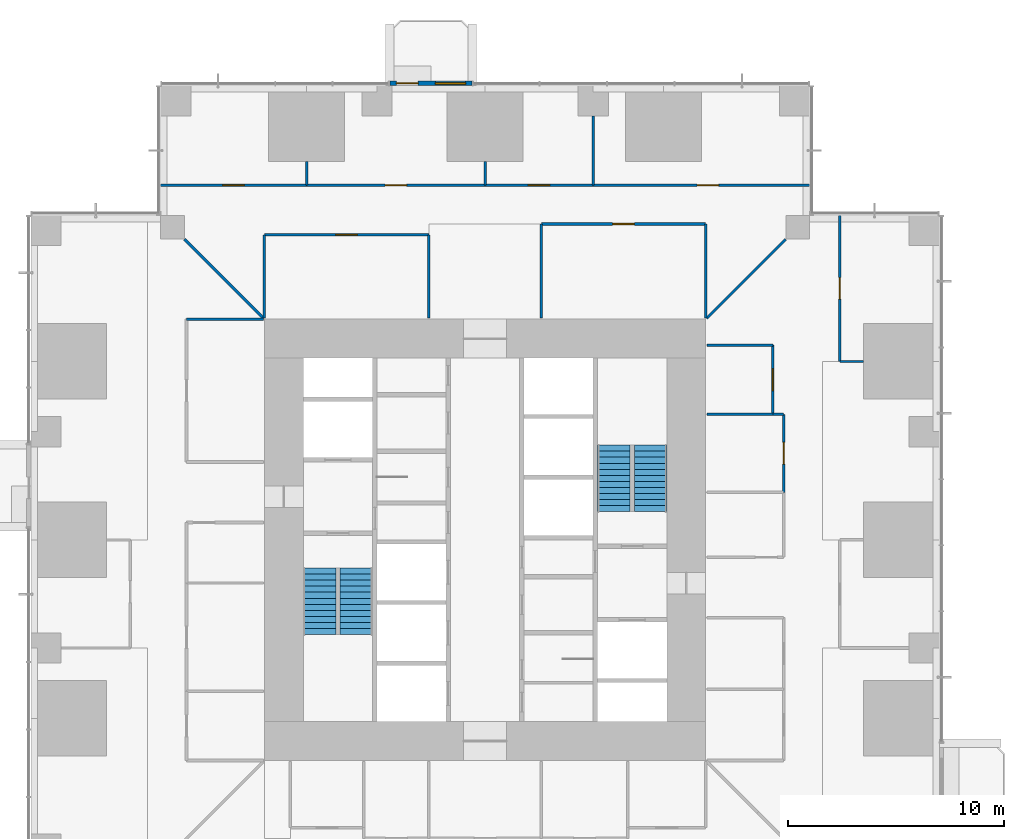
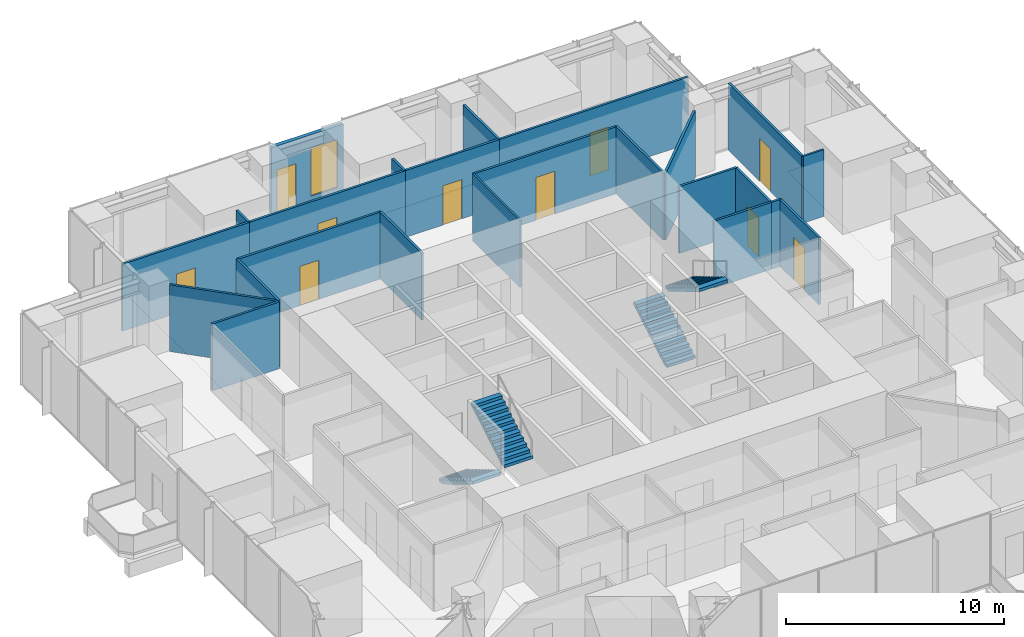
# One storey, part 12 of 16: 24 walls, 10 doors, 4 stair flights, 1 window, 11 openings, 2 elements without a shape of their own.
"""IFC4 building model written with IfcOpenShell, lengths in metres."""

from ifc_helpers import new_model, si_unit, direction, frame, frame_2d, origin, place, context, subcontext, project, spatial, polyline, rectangle, outline, extrude, material, layer, layer_set, type_object, element, fill, aggregate, save


model = new_model("IFC4")

# Units and contexts
model_context = context("Model", 3, precision=1e-05, world=origin(), true_north=direction((0.0, 1.0)))
body_context = subcontext(model_context, "Body", "Model", "MODEL_VIEW")
ifc_project = project(units=[si_unit("LENGTHUNIT", "METRE"), si_unit("AREAUNIT", "SQUARE_METRE"), si_unit("VOLUMEUNIT", "CUBIC_METRE"), si_unit("PLANEANGLEUNIT", "RADIAN"), si_unit("MASSUNIT", "GRAM", prefix="KILO")], contexts=[model_context])

# Site, building, storey
site_placement = place(None, origin())
site = spatial("IfcSite", under=ifc_project, at=site_placement, CompositionType="ELEMENT")
building_placement = place(site_placement, origin())
building = spatial("IfcBuilding", under=site, at=building_placement, Name="Svetlomir Tower", CompositionType="ELEMENT")
storey_placement = place(building_placement, frame((0.0, 0.0, 50.5)))
storey = spatial("IfcBuildingStorey", under=building, at=storey_placement, Name="L11", CompositionType="ELEMENT", Elevation=50.5)

# Wall, openings, door, window
ifc_material_1 = material(Name="Bronze anodised aluminium glazed screen", Category="aluminium")
ifc_layer_1 = layer(ifc_material_1, 0.199951171875)
ifc_layer_set_1 = layer_set([ifc_layer_1], Name="Bronze anodised aluminium glazed screen")
wall_type_1 = type_object("IfcWallType", Name="BALCONY SCREEN WALL 200", PredefinedType="USERDEFINED", material=ifc_layer_set_1)
wall_1_placement = place(storey_placement, frame((20.39990234375, 42.10009765625, 0.0), z_axis=(0.0, 0.0, 1.0), x_axis=(-1.0, 0.0, 0.0)))
wall_1 = element("IfcWall", 1, at=wall_1_placement, inside=storey, type_object=wall_type_1, Name="Balcony screen N", ObjectType="GLAZED SCREEN", PredefinedType="USERDEFINED", context=body_context, shape_type="SweptSolid", body=[
    extrude(rectangle(XDim=3.7998046875, YDim=0.199951171875, at=frame_2d((1.89990234375, 0.0))), origin(), (0.0, 0.0, 1.0), 3.75),
])
opening_1_placement = place(wall_1_placement, frame((2.5, 0.0, 0.0)))
opening_1 = element("IfcOpeningElement", 2, at=opening_1_placement, cuts=wall_1, Name="Opening BD", PredefinedType="OPENING", context=body_context, shape_type="SweptSolid", body=[
    extrude(rectangle(XDim=1.0, YDim=2.39990234375, at=frame_2d((0.5, 1.199951171875))), frame((0.0, 0.10986328125, 0.0), z_axis=(0.0, -1.0, 0.0), x_axis=(1.0, 0.0, 0.0)), (0.0, 0.0, 1.0), 0.219970703125),
])
opening_2_placement = place(wall_1_placement, frame((0.300048828125, 0.0, 0.300048828125)))
opening_2 = element("IfcOpeningElement", 3, at=opening_2_placement, cuts=wall_1, Name="Opening WS2", PredefinedType="OPENING", context=body_context, shape_type="SweptSolid", body=[
    extrude(rectangle(XDim=1.39990234375, YDim=2.699951171875, at=frame_2d((0.699951171875, 1.35009765625))), frame((0.0, 0.10986328125, 0.0), z_axis=(0.0, -1.0, 0.0), x_axis=(1.0, 0.0, 0.0)), (0.0, 0.0, 1.0), 0.219970703125),
])
ifc_material_2 = material(Name="Bronze anodised aluminium glazed door", Category="aluminium")
door_type_1 = type_object("IfcDoorType", Name="BALCONY DOOR BD 1000x2400", OperationType="SINGLE_SWING_LEFT", PredefinedType="DOOR", material=ifc_material_2)
door_1_placement = place(opening_1_placement, origin())
door_1 = element("IfcDoor", 4, at=door_1_placement, inside=storey, type_object=door_type_1, Name="Balcony screen N door", OperationType="SINGLE_SWING_LEFT", OverallHeight=2.39990234375, OverallWidth=1.0, PredefinedType="DOOR", context=body_context, shape_type="SweptSolid", body=[
    extrude(rectangle(XDim=1.0, YDim=2.39990234375, at=frame_2d((0.5, 1.199951171875))), frame((0.0, 0.02490234375, 0.0), z_axis=(0.0, -1.0, 0.0), x_axis=(1.0, 0.0, 0.0)), (0.0, 0.0, 1.0), 0.050048828125),
])
fill(opening_1, door_1)
ifc_material_3 = material(Name="Bronze anodised aluminium window", Category="aluminium")
window_type = type_object("IfcWindowType", Name="SCREEN WINDOW WS2 1400x2700", PartitioningType="SINGLE_PANEL", PredefinedType="WINDOW", material=ifc_material_3)
window_placement = place(opening_2_placement, origin())
window = element("IfcWindow", 5, at=window_placement, inside=storey, type_object=window_type, Name="Balcony screen N window 1", OverallHeight=2.699951171875, OverallWidth=1.39990234375, PartitioningType="SINGLE_PANEL", PredefinedType="WINDOW", context=body_context, shape_type="SweptSolid", body=[
    extrude(rectangle(XDim=1.39990234375, YDim=2.699951171875, at=frame_2d((0.699951171875, 1.35009765625))), frame((0.0, 0.030029296875, 0.0), z_axis=(0.0, -1.0, 0.0), x_axis=(1.0, 0.0, 0.0)), (0.0, 0.0, 1.0), 0.06005859375),
])
fill(opening_2, window)

# Walls
ifc_material_4 = material(Name="Framed laminated glass partition", Category="glass")
ifc_layer_2 = layer(ifc_material_4, 0.10009765625)
ifc_layer_set_2 = layer_set([ifc_layer_2], Name="Framed laminated glass partition")
wall_type_2 = type_object("IfcWallType", Name="GLAZED PARTITION 100", PredefinedType="PARTITIONING", material=ifc_layer_set_2)
wall_2_placement = place(storey_placement, frame((23.60009765625, 31.25, 0.0), z_axis=(0.0, 0.0, 1.0), x_axis=(0.0, 1.0, 0.0)))
element("IfcWall", 6, at=wall_2_placement, inside=storey, type_object=wall_type_2, Name="Glazed partition L11", PredefinedType="PARTITIONING", context=body_context, shape_type="SweptSolid", body=[
    extrude(rectangle(XDim=4.35009765625, YDim=0.10009765625, at=frame_2d((2.175048828125, 0.0))), origin(), (0.0, 0.0, 1.0), 3.75),
])
wall_3_placement = place(storey_placement, frame((37.39990234375, 29.25, 0.0), z_axis=(0.0, 0.0, 1.0), x_axis=(1.0, 0.0, 0.0)))
element("IfcWall", 7, at=wall_3_placement, inside=storey, type_object=wall_type_2, Name="Glazed partition L11", PredefinedType="PARTITIONING", context=body_context, shape_type="SweptSolid", body=[
    extrude(rectangle(XDim=1.090087890625, YDim=0.10009765625, at=frame_2d((0.544921875, 0.0))), origin(), (0.0, 0.0, 1.0), 3.75),
])

# Wall, opening, door
ifc_material_5 = material(Name="Gypsum board on steel studs", Category="steel")
ifc_layer_3 = layer(ifc_material_5, 0.1201171875)
ifc_layer_set_3 = layer_set([ifc_layer_3], Name="Gypsum board on steel studs")
wall_type_3 = type_object("IfcWallType", Name="PARTITION 120", PredefinedType="PARTITIONING", material=ifc_layer_set_3)
wall_4_placement = place(storey_placement, frame((6.0, 37.39990234375, 0.0), z_axis=(0.0, 0.0, 1.0), x_axis=(1.0, 0.0, 0.0)))
wall_4 = element("IfcWall", 8, at=wall_4_placement, inside=storey, type_object=wall_type_3, Name="Partition L11", PredefinedType="PARTITIONING", context=body_context, shape_type="SweptSolid", body=[
    extrude(rectangle(XDim=6.75, YDim=0.1201171875, at=frame_2d((3.375, 0.0))), origin(), (0.0, 0.0, 1.0), 3.75),
])
opening_3_placement = place(wall_4_placement, frame((2.875, 0.0, 0.0)))
opening_3 = element("IfcOpeningElement", 9, at=opening_3_placement, cuts=wall_4, Name="Opening DR", PredefinedType="OPENING", context=body_context, shape_type="SweptSolid", body=[
    extrude(rectangle(XDim=1.0, YDim=2.199951171875, at=frame_2d((0.5, 1.10009765625))), frame((0.0, 0.070068359375, 0.0), z_axis=(0.0, -1.0, 0.0), x_axis=(1.0, 0.0, 0.0)), (0.0, 0.0, 1.0), 0.14013671875),
])
ifc_material_6 = material(Name="Timber door, glazed side light", Category="wood")
door_type_2 = type_object("IfcDoorType", Name="DOOR DR 1000x2200", OperationType="SINGLE_SWING_LEFT", PredefinedType="DOOR", material=ifc_material_6)
door_2_placement = place(opening_3_placement, origin())
door_2 = element("IfcDoor", 10, at=door_2_placement, inside=storey, type_object=door_type_2, Name="Data protection officer office door L11", OperationType="SINGLE_SWING_RIGHT", OverallHeight=2.199951171875, OverallWidth=1.0, PredefinedType="DOOR", context=body_context, shape_type="SweptSolid", body=[
    extrude(rectangle(XDim=1.0, YDim=2.199951171875, at=frame_2d((0.5, 1.10009765625))), frame((0.0, 0.02490234375, 0.0), z_axis=(0.0, -1.0, 0.0), x_axis=(1.0, 0.0, 0.0)), (0.0, 0.0, 1.0), 0.050048828125),
])
fill(opening_3, door_2)

# Walls
wall_5_placement = place(storey_placement, frame((7.110107421875, 34.889892578125, 0.0), z_axis=(0.0, 0.0, 1.0), x_axis=(0.707106781187, -0.707106781187, 0.0)))
element("IfcWall", 11, at=wall_5_placement, inside=storey, type_object=wall_type_3, Name="Partition L11", PredefinedType="PARTITIONING", context=body_context, shape_type="SweptSolid", body=[
    extrude(rectangle(XDim=5.168212890625, YDim=0.1201171875, at=frame_2d((2.583984375, 0.0))), origin(), (0.0, 0.0, 1.0), 3.75),
])
wall_6_placement = place(storey_placement, frame((7.199951171875, 31.199951171875, 0.0), z_axis=(0.0, 0.0, 1.0), x_axis=(1.0, 0.0, 0.0)))
element("IfcWall", 12, at=wall_6_placement, inside=storey, type_object=wall_type_3, Name="Partition L11", PredefinedType="PARTITIONING", context=body_context, shape_type="SweptSolid", body=[
    extrude(rectangle(XDim=3.550048828125, YDim=0.1201171875, at=frame_2d((1.77490234375, 0.0))), origin(), (0.0, 0.0, 1.0), 3.75),
])
wall_7_placement = place(storey_placement, frame((10.800048828125, 31.25, 0.0), z_axis=(0.0, 0.0, 1.0), x_axis=(0.0, 1.0, 0.0)))
element("IfcWall", 13, at=wall_7_placement, inside=storey, type_object=wall_type_3, Name="Partition L11", PredefinedType="PARTITIONING", context=body_context, shape_type="SweptSolid", body=[
    extrude(rectangle(XDim=3.85009765625, YDim=0.1201171875, at=frame_2d((1.925048828125, 0.0))), origin(), (0.0, 0.0, 1.0), 3.75),
])

# Wall, opening, door
wall_8_placement = place(storey_placement, frame((10.800048828125, 35.10009765625, 0.0), z_axis=(0.0, 0.0, 1.0), x_axis=(1.0, 0.0, 0.0)))
wall_8 = element("IfcWall", 14, at=wall_8_placement, inside=storey, type_object=wall_type_3, Name="Partition L11", PredefinedType="PARTITIONING", context=body_context, shape_type="SweptSolid", body=[
    extrude(rectangle(XDim=7.599853515625, YDim=0.1201171875, at=frame_2d((3.7998046875, 0.0))), origin(), (0.0, 0.0, 1.0), 3.75),
])
opening_4_placement = place(wall_8_placement, frame((3.300048828125, 0.0, 0.0)))
opening_4 = element("IfcOpeningElement", 15, at=opening_4_placement, cuts=wall_8, Name="Opening DR", PredefinedType="OPENING", context=body_context, shape_type="SweptSolid", body=[
    extrude(rectangle(XDim=1.0, YDim=2.199951171875, at=frame_2d((0.5, 1.10009765625))), frame((0.0, 0.070068359375, 0.0), z_axis=(0.0, -1.0, 0.0), x_axis=(1.0, 0.0, 0.0)), (0.0, 0.0, 1.0), 0.14013671875),
])
door_3_placement = place(opening_4_placement, origin())
door_3 = element("IfcDoor", 16, at=door_3_placement, inside=storey, type_object=door_type_2, Name="Security operations centre door L11", OperationType="SINGLE_SWING_RIGHT", OverallHeight=2.199951171875, OverallWidth=1.0, PredefinedType="DOOR", context=body_context, shape_type="SweptSolid", body=[
    extrude(rectangle(XDim=1.0, YDim=2.199951171875, at=frame_2d((0.5, 1.10009765625))), frame((0.0, 0.02490234375, 0.0), z_axis=(0.0, -1.0, 0.0), x_axis=(1.0, 0.0, 0.0)), (0.0, 0.0, 1.0), 0.050048828125),
])
fill(opening_4, door_3)

# Wall
wall_9_placement = place(storey_placement, frame((12.75, 37.39990234375, 0.0), z_axis=(0.0, 0.0, 1.0), x_axis=(0.0, 1.0, 0.0)))
element("IfcWall", 17, at=wall_9_placement, inside=storey, type_object=wall_type_3, Name="Partition L11", PredefinedType="PARTITIONING", context=body_context, shape_type="SweptSolid", body=[
    extrude(rectangle(XDim=1.090087890625, YDim=0.1201171875, at=frame_2d((0.544921875, 0.0))), origin(), (0.0, 0.0, 1.0), 3.75),
])

# Wall, opening, door
wall_10_placement = place(storey_placement, frame((12.75, 37.39990234375, 0.0), z_axis=(0.0, 0.0, 1.0), x_axis=(1.0, 0.0, 0.0)))
wall_10 = element("IfcWall", 18, at=wall_10_placement, inside=storey, type_object=wall_type_3, Name="Partition L11", PredefinedType="PARTITIONING", context=body_context, shape_type="SweptSolid", body=[
    extrude(rectangle(XDim=8.25, YDim=0.1201171875, at=frame_2d((4.125, 0.0))), origin(), (0.0, 0.0, 1.0), 3.75),
])
opening_5_placement = place(wall_10_placement, frame((3.625, 0.0, 0.0)))
opening_5 = element("IfcOpeningElement", 19, at=opening_5_placement, cuts=wall_10, Name="Opening DG", PredefinedType="OPENING", context=body_context, shape_type="SweptSolid", body=[
    extrude(rectangle(XDim=1.0, YDim=2.39990234375, at=frame_2d((0.5, 1.199951171875))), frame((0.0, 0.070068359375, 0.0), z_axis=(0.0, -1.0, 0.0), x_axis=(1.0, 0.0, 0.0)), (0.0, 0.0, 1.0), 0.14013671875),
])
ifc_material_7 = material(Name="Framed laminated glass door", Category="glass")
door_type_3 = type_object("IfcDoorType", Name="GLAZED DOOR DG 1000x2400", OperationType="SINGLE_SWING_LEFT", PredefinedType="DOOR", material=ifc_material_7)
door_4_placement = place(opening_5_placement, origin())
door_4 = element("IfcDoor", 20, at=door_4_placement, inside=storey, type_object=door_type_3, Name="Ring corridor 4 door 1 L11", OperationType="SINGLE_SWING_RIGHT", OverallHeight=2.39990234375, OverallWidth=1.0, PredefinedType="DOOR", context=body_context, shape_type="SweptSolid", body=[
    extrude(rectangle(XDim=1.0, YDim=2.39990234375, at=frame_2d((0.5, 1.199951171875))), frame((0.0, 0.02490234375, 0.0), z_axis=(0.0, -1.0, 0.0), x_axis=(1.0, 0.0, 0.0)), (0.0, 0.0, 1.0), 0.050048828125),
])
fill(opening_5, door_4)

# Walls
wall_11_placement = place(storey_placement, frame((18.39990234375, 31.25, 0.0), z_axis=(0.0, 0.0, 1.0), x_axis=(0.0, 1.0, 0.0)))
element("IfcWall", 21, at=wall_11_placement, inside=storey, type_object=wall_type_3, Name="Partition L11", PredefinedType="PARTITIONING", context=body_context, shape_type="SweptSolid", body=[
    extrude(rectangle(XDim=3.85009765625, YDim=0.1201171875, at=frame_2d((1.925048828125, 0.0))), origin(), (0.0, 0.0, 1.0), 3.75),
])
wall_12_placement = place(storey_placement, frame((21.0, 37.39990234375, 0.0), z_axis=(0.0, 0.0, 1.0), x_axis=(0.0, 1.0, 0.0)))
element("IfcWall", 22, at=wall_12_placement, inside=storey, type_object=wall_type_3, Name="Partition L11", PredefinedType="PARTITIONING", context=body_context, shape_type="SweptSolid", body=[
    extrude(rectangle(XDim=1.090087890625, YDim=0.1201171875, at=frame_2d((0.544921875, 0.0))), origin(), (0.0, 0.0, 1.0), 3.75),
])

# Wall, opening, door
wall_13_placement = place(storey_placement, frame((21.0, 37.39990234375, 0.0), z_axis=(0.0, 0.0, 1.0), x_axis=(1.0, 0.0, 0.0)))
wall_13 = element("IfcWall", 23, at=wall_13_placement, inside=storey, type_object=wall_type_3, Name="Partition L11", PredefinedType="PARTITIONING", context=body_context, shape_type="SweptSolid", body=[
    extrude(rectangle(XDim=5.0, YDim=0.1201171875, at=frame_2d((2.5, 0.0))), origin(), (0.0, 0.0, 1.0), 3.75),
])
opening_6_placement = place(wall_13_placement, frame((2.0, 0.0, 0.0)))
opening_6 = element("IfcOpeningElement", 24, at=opening_6_placement, cuts=wall_13, Name="Opening DR", PredefinedType="OPENING", context=body_context, shape_type="SweptSolid", body=[
    extrude(rectangle(XDim=1.0, YDim=2.199951171875, at=frame_2d((0.5, 1.10009765625))), frame((0.0, 0.070068359375, 0.0), z_axis=(0.0, -1.0, 0.0), x_axis=(1.0, 0.0, 0.0)), (0.0, 0.0, 1.0), 0.14013671875),
])
door_5_placement = place(opening_6_placement, origin())
door_5 = element("IfcDoor", 25, at=door_5_placement, inside=storey, type_object=door_type_2, Name="Chief information security officer office door L11", OperationType="SINGLE_SWING_LEFT", OverallHeight=2.199951171875, OverallWidth=1.0, PredefinedType="DOOR", context=body_context, shape_type="SweptSolid", body=[
    extrude(rectangle(XDim=1.0, YDim=2.199951171875, at=frame_2d((0.5, 1.10009765625))), frame((0.0, 0.02490234375, 0.0), z_axis=(0.0, -1.0, 0.0), x_axis=(1.0, 0.0, 0.0)), (0.0, 0.0, 1.0), 0.050048828125),
])
fill(opening_6, door_5)

wall_14_placement = place(storey_placement, frame((23.60009765625, 35.60009765625, 0.0), z_axis=(0.0, 0.0, 1.0), x_axis=(1.0, 0.0, 0.0)))
wall_14 = element("IfcWall", 26, at=wall_14_placement, inside=storey, type_object=wall_type_3, Name="Partition L11", PredefinedType="PARTITIONING", context=body_context, shape_type="SweptSolid", body=[
    extrude(rectangle(XDim=7.599853515625, YDim=0.1201171875, at=frame_2d((3.7998046875, 0.0))), origin(), (0.0, 0.0, 1.0), 3.75),
])
opening_7_placement = place(wall_14_placement, frame((3.300048828125, 0.0, 0.0)))
opening_7 = element("IfcOpeningElement", 27, at=opening_7_placement, cuts=wall_14, Name="Opening DG", PredefinedType="OPENING", context=body_context, shape_type="SweptSolid", body=[
    extrude(rectangle(XDim=1.0, YDim=2.39990234375, at=frame_2d((0.5, 1.199951171875))), frame((0.0, 0.070068359375, 0.0), z_axis=(0.0, -1.0, 0.0), x_axis=(1.0, 0.0, 0.0)), (0.0, 0.0, 1.0), 0.14013671875),
])
door_6_placement = place(opening_7_placement, origin())
door_6 = element("IfcDoor", 28, at=door_6_placement, inside=storey, type_object=door_type_3, Name="Incident response room, 12 seats door L11", OperationType="SINGLE_SWING_LEFT", OverallHeight=2.39990234375, OverallWidth=1.0, PredefinedType="DOOR", context=body_context, shape_type="SweptSolid", body=[
    extrude(rectangle(XDim=1.0, YDim=2.39990234375, at=frame_2d((0.5, 1.199951171875))), frame((0.0, 0.02490234375, 0.0), z_axis=(0.0, -1.0, 0.0), x_axis=(1.0, 0.0, 0.0)), (0.0, 0.0, 1.0), 0.050048828125),
])
fill(opening_7, door_6)

# Wall
wall_15_placement = place(storey_placement, frame((26.0, 37.39990234375, 0.0), z_axis=(0.0, 0.0, 1.0), x_axis=(0.0, 1.0, 0.0)))
element("IfcWall", 29, at=wall_15_placement, inside=storey, type_object=wall_type_3, Name="Partition L11", PredefinedType="PARTITIONING", context=body_context, shape_type="SweptSolid", body=[
    extrude(rectangle(XDim=3.190185546875, YDim=0.1201171875, at=frame_2d((1.59521484375, 0.0))), origin(), (0.0, 0.0, 1.0), 3.75),
])

# Wall, opening, door
wall_16_placement = place(storey_placement, frame((26.0, 37.39990234375, 0.0), z_axis=(0.0, 0.0, 1.0), x_axis=(1.0, 0.0, 0.0)))
wall_16 = element("IfcWall", 30, at=wall_16_placement, inside=storey, type_object=wall_type_3, Name="Partition L11", PredefinedType="PARTITIONING", context=body_context, shape_type="SweptSolid", body=[
    extrude(rectangle(XDim=10.0, YDim=0.1201171875, at=frame_2d((5.0, 0.0))), origin(), (0.0, 0.0, 1.0), 3.75),
])
opening_8_placement = place(wall_16_placement, frame((4.800048828125, 0.0, 0.0)))
opening_8 = element("IfcOpeningElement", 31, at=opening_8_placement, cuts=wall_16, Name="Opening DG", PredefinedType="OPENING", context=body_context, shape_type="SweptSolid", body=[
    extrude(rectangle(XDim=1.0, YDim=2.39990234375, at=frame_2d((0.5, 1.199951171875))), frame((0.0, 0.070068359375, 0.0), z_axis=(0.0, -1.0, 0.0), x_axis=(1.0, 0.0, 0.0)), (0.0, 0.0, 1.0), 0.14013671875),
])
door_7_placement = place(opening_8_placement, origin())
door_7 = element("IfcDoor", 32, at=door_7_placement, inside=storey, type_object=door_type_3, Name="Ring corridor 4 door 2 L11", OperationType="SINGLE_SWING_LEFT", OverallHeight=2.39990234375, OverallWidth=1.0, PredefinedType="DOOR", context=body_context, shape_type="SweptSolid", body=[
    extrude(rectangle(XDim=1.0, YDim=2.39990234375, at=frame_2d((0.5, 1.199951171875))), frame((0.0, 0.02490234375, 0.0), z_axis=(0.0, -1.0, 0.0), x_axis=(1.0, 0.0, 0.0)), (0.0, 0.0, 1.0), 0.050048828125),
])
fill(opening_8, door_7)

# Walls
wall_17_placement = place(storey_placement, frame((31.199951171875, 31.25, 0.0), z_axis=(0.0, 0.0, 1.0), x_axis=(0.0, 1.0, 0.0)))
element("IfcWall", 33, at=wall_17_placement, inside=storey, type_object=wall_type_3, Name="Partition L11", PredefinedType="PARTITIONING", context=body_context, shape_type="SweptSolid", body=[
    extrude(rectangle(XDim=4.35009765625, YDim=0.1201171875, at=frame_2d((2.175048828125, 0.0))), origin(), (0.0, 0.0, 1.0), 3.75),
])
wall_18_placement = place(storey_placement, frame((31.2353515625, 31.2353515625, 0.0), z_axis=(0.0, 0.0, 1.0), x_axis=(0.707106781187, 0.707106781187, 0.0)))
element("IfcWall", 34, at=wall_18_placement, inside=storey, type_object=wall_type_3, Name="Partition L11", PredefinedType="PARTITIONING", context=body_context, shape_type="SweptSolid", body=[
    extrude(rectangle(XDim=5.168212890625, YDim=0.1201171875, at=frame_2d((2.583984375, 0.0))), origin(), (0.0, 0.0, 1.0), 3.75),
])
for number, where, z_axis, x_axis, name in (
    (35, (31.25, 26.800048828125, 0.0), (0.0, 0.0, 1.0), (1.0, 0.0, 0.0), "Partition L11"),
    (36, (31.25, 30.0, 0.0), (0.0, 0.0, 1.0), (1.0, 0.0, 0.0), "Partition L11"),
):
    element("IfcWall", number, at=place(storey_placement, frame(where, z_axis=z_axis, x_axis=x_axis)), inside=storey, type_object=wall_type_3, Name=name, PredefinedType="PARTITIONING", context=body_context, shape_type="SweptSolid", body=[
        extrude(rectangle(XDim=3.050048828125, YDim=0.1201171875, at=frame_2d((1.52490234375, 0.0))), origin(), (0.0, 0.0, 1.0), 3.75),
    ])

# Wall, opening, door
wall_19_placement = place(storey_placement, frame((34.300048828125, 26.800048828125, 0.0), z_axis=(0.0, 0.0, 1.0), x_axis=(0.0, 1.0, 0.0)))
wall_19 = element("IfcWall", 37, at=wall_19_placement, inside=storey, type_object=wall_type_3, Name="Partition L11", PredefinedType="PARTITIONING", context=body_context, shape_type="SweptSolid", body=[
    extrude(rectangle(XDim=3.199951171875, YDim=0.1201171875, at=frame_2d((1.60009765625, 0.0))), origin(), (0.0, 0.0, 1.0), 3.75),
])
opening_9_placement = place(wall_19_placement, frame((1.10009765625, 0.0, 0.0)))
opening_9 = element("IfcOpeningElement", 38, at=opening_9_placement, cuts=wall_19, Name="Opening DR", PredefinedType="OPENING", context=body_context, shape_type="SweptSolid", body=[
    extrude(rectangle(XDim=1.0, YDim=2.199951171875, at=frame_2d((0.5, 1.10009765625))), frame((0.0, 0.070068359375, 0.0), z_axis=(0.0, -1.0, 0.0), x_axis=(1.0, 0.0, 0.0)), (0.0, 0.0, 1.0), 0.14013671875),
])
door_8_placement = place(opening_9_placement, origin())
door_8 = element("IfcDoor", 39, at=door_8_placement, inside=storey, type_object=door_type_2, Name="Equipment store door L11", OperationType="SINGLE_SWING_LEFT", OverallHeight=2.199951171875, OverallWidth=1.0, PredefinedType="DOOR", context=body_context, shape_type="SweptSolid", body=[
    extrude(rectangle(XDim=1.0, YDim=2.199951171875, at=frame_2d((0.5, 1.10009765625))), frame((0.0, 0.02490234375, 0.0), z_axis=(0.0, -1.0, 0.0), x_axis=(1.0, 0.0, 0.0)), (0.0, 0.0, 1.0), 0.050048828125),
])
fill(opening_9, door_8)

# Wall
wall_20_placement = place(storey_placement, frame((34.300048828125, 26.800048828125, 0.0), z_axis=(0.0, 0.0, 1.0), x_axis=(1.0, 0.0, 0.0)))
element("IfcWall", 40, at=wall_20_placement, inside=storey, type_object=wall_type_3, Name="Partition L11", PredefinedType="PARTITIONING", context=body_context, shape_type="SweptSolid", body=[
    extrude(rectangle(XDim=0.5, YDim=0.1201171875, at=frame_2d((0.25, 0.0))), origin(), (0.0, 0.0, 1.0), 3.75),
])

# Wall, opening, door
wall_21_placement = place(storey_placement, frame((34.800048828125, 23.199951171875, 0.0), z_axis=(0.0, 0.0, 1.0), x_axis=(0.0, 1.0, 0.0)))
wall_21 = element("IfcWall", 41, at=wall_21_placement, inside=storey, type_object=wall_type_3, Name="Partition L11", PredefinedType="PARTITIONING", context=body_context, shape_type="SweptSolid", body=[
    extrude(rectangle(XDim=3.60009765625, YDim=0.1201171875, at=frame_2d((1.800048828125, 0.0))), origin(), (0.0, 0.0, 1.0), 3.75),
])
opening_10_placement = place(wall_21_placement, frame((1.300048828125, 0.0, 0.0)))
opening_10 = element("IfcOpeningElement", 42, at=opening_10_placement, cuts=wall_21, Name="Opening DG", PredefinedType="OPENING", context=body_context, shape_type="SweptSolid", body=[
    extrude(rectangle(XDim=1.0, YDim=2.39990234375, at=frame_2d((0.5, 1.199951171875))), frame((0.0, 0.070068359375, 0.0), z_axis=(0.0, -1.0, 0.0), x_axis=(1.0, 0.0, 0.0)), (0.0, 0.0, 1.0), 0.14013671875),
])
door_9_placement = place(opening_10_placement, origin())
door_9 = element("IfcDoor", 43, at=door_9_placement, inside=storey, type_object=door_type_3, Name="Meeting room, 6 seats door L11", OperationType="SINGLE_SWING_RIGHT", OverallHeight=2.39990234375, OverallWidth=1.0, PredefinedType="DOOR", context=body_context, shape_type="SweptSolid", body=[
    extrude(rectangle(XDim=1.0, YDim=2.39990234375, at=frame_2d((0.5, 1.199951171875))), frame((0.0, 0.02490234375, 0.0), z_axis=(0.0, -1.0, 0.0), x_axis=(1.0, 0.0, 0.0)), (0.0, 0.0, 1.0), 0.050048828125),
])
fill(opening_10, door_9)

wall_22_placement = place(storey_placement, frame((37.39990234375, 29.25, 0.0), z_axis=(0.0, 0.0, 1.0), x_axis=(0.0, 1.0, 0.0)))
wall_22 = element("IfcWall", 44, at=wall_22_placement, inside=storey, type_object=wall_type_3, Name="Partition L11", PredefinedType="PARTITIONING", context=body_context, shape_type="SweptSolid", body=[
    extrude(rectangle(XDim=6.75, YDim=0.1201171875, at=frame_2d((3.375, 0.0))), origin(), (0.0, 0.0, 1.0), 3.75),
])
opening_11_placement = place(wall_22_placement, frame((2.875, 0.0, 0.0)))
opening_11 = element("IfcOpeningElement", 45, at=opening_11_placement, cuts=wall_22, Name="Opening DG", PredefinedType="OPENING", context=body_context, shape_type="SweptSolid", body=[
    extrude(rectangle(XDim=1.0, YDim=2.39990234375, at=frame_2d((0.5, 1.199951171875))), frame((0.0, 0.070068359375, 0.0), z_axis=(0.0, -1.0, 0.0), x_axis=(1.0, 0.0, 0.0)), (0.0, 0.0, 1.0), 0.14013671875),
])
door_10_placement = place(opening_11_placement, origin())
door_10 = element("IfcDoor", 46, at=door_10_placement, inside=storey, type_object=door_type_3, Name="Data quiet library door L11", OperationType="SINGLE_SWING_LEFT", OverallHeight=2.39990234375, OverallWidth=1.0, PredefinedType="DOOR", context=body_context, shape_type="SweptSolid", body=[
    extrude(rectangle(XDim=1.0, YDim=2.39990234375, at=frame_2d((0.5, 1.199951171875))), frame((0.0, 0.02490234375, 0.0), z_axis=(0.0, -1.0, 0.0), x_axis=(1.0, 0.0, 0.0)), (0.0, 0.0, 1.0), 0.050048828125),
])
fill(opening_11, door_10)

# Stair, stair flights
ifc_material_8 = material(Name="Concrete C60/75", Category="concrete")
stair_type = type_object("IfcStairType", Name="EXIT STAIR 3200 RISE 4000", PredefinedType="HALF_TURN_STAIR", material=ifc_material_8)
stair_1_placement = place(storey_placement, origin())
stair_1 = element("IfcStair", 47, at=stair_1_placement, inside=storey, type_object=stair_type, Name="Stair S1 L11 to L12", PredefinedType="HALF_TURN_STAIR")
ifc_material_9 = material(Name="Concrete C60/75", Category="concrete")
stair_flight_type = type_object("IfcStairFlightType", Name="STAIR FLIGHT 1500 OF 12 RISERS", PredefinedType="STRAIGHT", material=ifc_material_9)
stair_flight_1_placement = place(storey_placement, frame((13.35009765625, 19.699951171875, 0.0), z_axis=(0.0, 0.0, 1.0), x_axis=(0.0, -1.0, 0.0)))
stair_flight_1 = element("IfcStairFlight", 48, at=stair_flight_1_placement, type_object=stair_flight_type, Name="S1 flight 1", NumberOfRisers=12, NumberOfTreads=11, PredefinedType="STRAIGHT", RiserHeight=0.166666667, TreadLength=0.28, context=body_context, shape_type="SweptSolid", body=[
    extrude(outline(polyline([(0.0, 0.0), (0.0, 0.166748046875), (0.280029296875, 0.166748046875), (0.280029296875, 0.333251953125), (0.56005859375, 0.333251953125), (0.56005859375, 0.5), (0.840087890625, 0.5), (0.840087890625, 0.666748046875), (1.1201171875, 0.666748046875), (1.1201171875, 0.833251953125), (1.39990234375, 0.833251953125), (1.39990234375, 1.0), (1.679931640625, 1.0), (1.679931640625, 1.166748046875), (1.9599609375, 1.166748046875), (1.9599609375, 1.333251953125), (2.239990234375, 1.333251953125), (2.239990234375, 1.5), (2.52001953125, 1.5), (2.52001953125, 1.666748046875), (2.800048828125, 1.666748046875), (2.800048828125, 1.833251953125), (3.080078125, 1.833251953125), (3.080078125, 2.0), (3.080078125, 1.658935546875), (0.29296875, 0.0), (0.0, 0.0)])), frame((0.0, 0.75, 0.0), z_axis=(0.0, -1.0, 0.0), x_axis=(1.0, 0.0, 0.0)), (0.0, 0.0, 1.0), 1.5),
])
stair_flight_2_placement = place(storey_placement, frame((15.050048828125, 16.6201171875, 2.0), z_axis=(0.0, 0.0, 1.0), x_axis=(0.0, 1.0, 0.0)))
stair_flight_2 = element("IfcStairFlight", 49, at=stair_flight_2_placement, type_object=stair_flight_type, Name="S1 flight 2", NumberOfRisers=12, NumberOfTreads=11, PredefinedType="STRAIGHT", RiserHeight=0.166666667, TreadLength=0.28, context=body_context, shape_type="SweptSolid", body=[
    extrude(outline(polyline([(0.0, 0.0), (0.0, 0.166748046875), (0.280029296875, 0.166748046875), (0.280029296875, 0.333251953125), (0.56005859375, 0.333251953125), (0.56005859375, 0.5), (0.840087890625, 0.5), (0.840087890625, 0.666748046875), (1.1201171875, 0.666748046875), (1.1201171875, 0.833251953125), (1.39990234375, 0.833251953125), (1.39990234375, 1.0), (1.679931640625, 1.0), (1.679931640625, 1.166748046875), (1.9599609375, 1.166748046875), (1.9599609375, 1.333251953125), (2.239990234375, 1.333251953125), (2.239990234375, 1.5), (2.52001953125, 1.5), (2.52001953125, 1.666748046875), (2.800048828125, 1.666748046875), (2.800048828125, 1.833251953125), (3.080078125, 1.833251953125), (3.080078125, 2.0), (3.080078125, 1.658935546875), (0.29296875, 0.0), (0.0, 0.0)])), frame((0.0, 0.75, 0.0), z_axis=(0.0, -1.0, 0.0), x_axis=(1.0, 0.0, 0.0)), (0.0, 0.0, 1.0), 1.5),
])
aggregate(stair_1, [stair_flight_1, stair_flight_2])

stair_2_placement = place(storey_placement, origin())
stair_2 = element("IfcStair", 50, at=stair_2_placement, inside=storey, type_object=stair_type, Name="Stair S2 L11 to L12", PredefinedType="HALF_TURN_STAIR")
stair_flight_3_placement = place(storey_placement, frame((26.949951171875, 22.300048828125, 0.0), z_axis=(0.0, 0.0, 1.0), x_axis=(0.0, 1.0, 0.0)))
stair_flight_3 = element("IfcStairFlight", 51, at=stair_flight_3_placement, type_object=stair_flight_type, Name="S2 flight 1", NumberOfRisers=12, NumberOfTreads=11, PredefinedType="STRAIGHT", RiserHeight=0.166666667, TreadLength=0.28, context=body_context, shape_type="SweptSolid", body=[
    extrude(outline(polyline([(0.0, 0.0), (0.0, 0.166748046875), (0.280029296875, 0.166748046875), (0.280029296875, 0.333251953125), (0.56005859375, 0.333251953125), (0.56005859375, 0.5), (0.840087890625, 0.5), (0.840087890625, 0.666748046875), (1.1201171875, 0.666748046875), (1.1201171875, 0.833251953125), (1.39990234375, 0.833251953125), (1.39990234375, 1.0), (1.679931640625, 1.0), (1.679931640625, 1.166748046875), (1.9599609375, 1.166748046875), (1.9599609375, 1.333251953125), (2.239990234375, 1.333251953125), (2.239990234375, 1.5), (2.52001953125, 1.5), (2.52001953125, 1.666748046875), (2.800048828125, 1.666748046875), (2.800048828125, 1.833251953125), (3.080078125, 1.833251953125), (3.080078125, 2.0), (3.080078125, 1.658935546875), (0.29296875, 0.0), (0.0, 0.0)])), frame((0.0, 0.75, 0.0), z_axis=(0.0, -1.0, 0.0), x_axis=(1.0, 0.0, 0.0)), (0.0, 0.0, 1.0), 1.5),
])
stair_flight_4_placement = place(storey_placement, frame((28.64990234375, 25.3798828125, 2.0), z_axis=(0.0, 0.0, 1.0), x_axis=(0.0, -1.0, 0.0)))
stair_flight_4 = element("IfcStairFlight", 52, at=stair_flight_4_placement, type_object=stair_flight_type, Name="S2 flight 2", NumberOfRisers=12, NumberOfTreads=11, PredefinedType="STRAIGHT", RiserHeight=0.166666667, TreadLength=0.28, context=body_context, shape_type="SweptSolid", body=[
    extrude(outline(polyline([(0.0, 0.0), (0.0, 0.166748046875), (0.280029296875, 0.166748046875), (0.280029296875, 0.333251953125), (0.56005859375, 0.333251953125), (0.56005859375, 0.5), (0.840087890625, 0.5), (0.840087890625, 0.666748046875), (1.1201171875, 0.666748046875), (1.1201171875, 0.833251953125), (1.39990234375, 0.833251953125), (1.39990234375, 1.0), (1.679931640625, 1.0), (1.679931640625, 1.166748046875), (1.9599609375, 1.166748046875), (1.9599609375, 1.333251953125), (2.239990234375, 1.333251953125), (2.239990234375, 1.5), (2.52001953125, 1.5), (2.52001953125, 1.666748046875), (2.800048828125, 1.666748046875), (2.800048828125, 1.833251953125), (3.080078125, 1.833251953125), (3.080078125, 2.0), (3.080078125, 1.658935546875), (0.29296875, 0.0), (0.0, 0.0)])), frame((0.0, 0.75, 0.0), z_axis=(0.0, -1.0, 0.0), x_axis=(1.0, 0.0, 0.0)), (0.0, 0.0, 1.0), 1.5),
])
aggregate(stair_2, [stair_flight_3, stair_flight_4])

save(model, "model.ifc")
